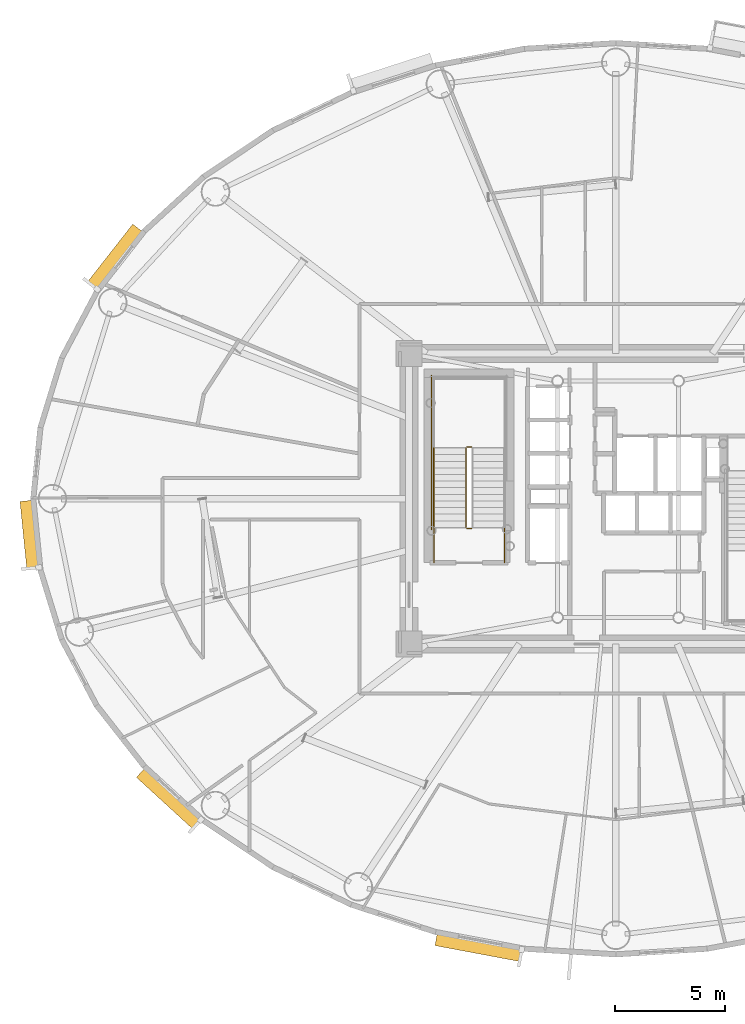
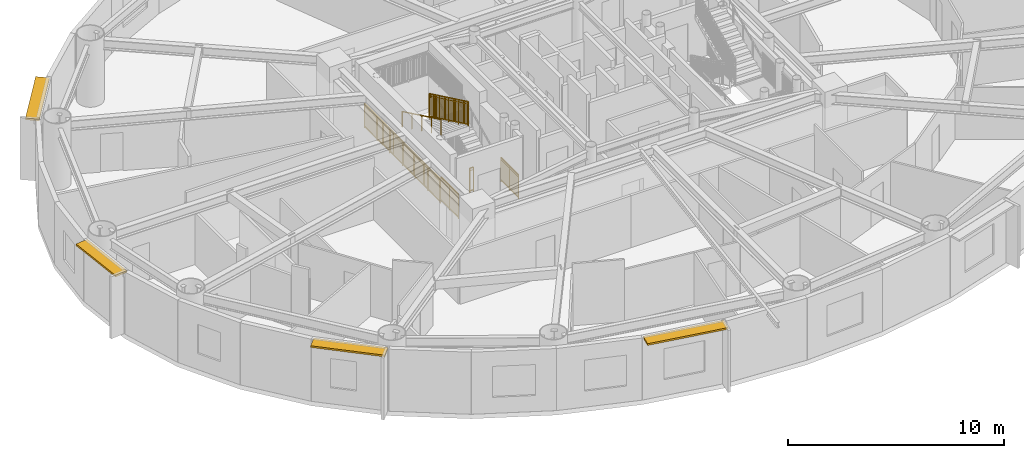
# One storey, part 15 of 21: 7 railings, 4 shading devices.
"""IFC4 building model written with IfcOpenShell, lengths in metres."""

from ifc_helpers import new_model, si_unit, direction, frame, origin, origin_2d, place, context, subcontext, project, spatial, rectangle, extrude, source, transform, mapped, material, layer, layer_set, type_object, element, save


model = new_model("IFC4")

# Units and contexts
model_context = context("Model", 3, precision=1e-05, world=origin(), true_north=direction((0.0, 1.0)))
body_context = subcontext(model_context, "Body", "Model", "MODEL_VIEW")
ifc_project = project(units=[si_unit("LENGTHUNIT", "METRE"), si_unit("AREAUNIT", "SQUARE_METRE"), si_unit("VOLUMEUNIT", "CUBIC_METRE"), si_unit("PLANEANGLEUNIT", "RADIAN"), si_unit("MASSUNIT", "GRAM", prefix="KILO")], contexts=[model_context])

# Site, building, storey
site_placement = place(None, origin())
site = spatial("IfcSite", under=ifc_project, at=site_placement, CompositionType="ELEMENT")
building_placement = place(site_placement, origin())
building = spatial("IfcBuilding", under=site, at=building_placement, Name="Linh Dai School and Residence Tower", CompositionType="ELEMENT")
storey_placement = place(building_placement, frame((0.0, 0.0, 189.89990234375)))
storey = spatial("IfcBuildingStorey", under=building, at=storey_placement, Name="L46", CompositionType="ELEMENT", Elevation=189.89990234375)

# Shading devices
ifc_material_1 = material(Name="Terracotta Ceramic Sunshade", Category="masonry")
ifc_layer = layer(ifc_material_1, 0.10009765625)
ifc_layer_set = layer_set([ifc_layer], Name="Terracotta Ceramic Sunshade")
shading_device_type = type_object("IfcShadingDeviceType", Name="SHD-TC-650", PredefinedType="USERDEFINED", material=ifc_layer_set)
shared_shape_1 = source(origin(), body_context, "Body", "SweptSolid", [
    extrude(rectangle(XDim=3.1201171875, YDim=0.64990234375, at=origin_2d()), origin(), (0.0, 0.0, 1.0), 0.10009765625),
])
shading_device_1_placement = place(storey_placement, frame((9.40380859375, 25.354736328125, 3.380126953125), z_axis=(0.0, 0.0, 1.0), x_axis=(-0.100001796141, 0.994987256586, 0.0)))
element("IfcShadingDevice", 1, at=shading_device_1_placement, inside=storey, type_object=shading_device_type, Name="L46 Terracotta Horizontal Sunshade Band 21", ObjectType="SUNSHADE", PredefinedType="USERDEFINED", context=body_context, shape_type="MappedRepresentation", body=[
    mapped(shared_shape_1, transform((0.0, 0.0, 0.0), x_axis=(1.0, 0.0, 0.0), y_axis=(0.0, 1.0, 0.0), z_axis=(0.0, 0.0, 1.0), scale=1.0)),
])
shared_shape_2 = source(origin(), body_context, "Body", "SweptSolid", [
    extrude(rectangle(XDim=3.51171875, YDim=0.64990234375, at=origin_2d()), origin(), (0.0, 0.0, 1.0), 0.10009765625),
])
shading_device_2_placement = place(storey_placement, frame((15.727294921875, 13.395263671875, 3.380126953125), z_axis=(0.0, 0.0, 1.0), x_axis=(-0.737085029426, 0.67580001435, 0.0)))
element("IfcShadingDevice", 2, at=shading_device_2_placement, inside=storey, type_object=shading_device_type, Name="L46 Terracotta Horizontal Sunshade Band 25", ObjectType="SUNSHADE", PredefinedType="USERDEFINED", context=body_context, shape_type="MappedRepresentation", body=[
    mapped(shared_shape_2, transform((0.0, 0.0, 0.0), x_axis=(1.0, 0.0, 0.0), y_axis=(0.0, 1.0, 0.0), z_axis=(0.0, 0.0, 1.0), scale=1.0)),
])
shared_shape_3 = source(origin(), body_context, "Body", "SweptSolid", [
    extrude(rectangle(XDim=3.949462890625, YDim=0.64990234375, at=origin_2d()), origin(), (0.0, 0.0, 1.0), 0.10009765625),
])
shading_device_3_placement = place(storey_placement, frame((29.780029296875, 6.650390625, 3.380126953125), z_axis=(0.0, 0.0, 1.0), x_axis=(-0.982783192645, 0.184762540184, 0.0)))
element("IfcShadingDevice", 3, at=shading_device_3_placement, inside=storey, type_object=shading_device_type, Name="L46 Terracotta Horizontal Sunshade Band 29", ObjectType="SUNSHADE", PredefinedType="USERDEFINED", context=body_context, shape_type="MappedRepresentation", body=[
    mapped(shared_shape_3, transform((0.0, 0.0, 0.0), x_axis=(1.0, 0.0, 0.0), y_axis=(0.0, 1.0, 0.0), z_axis=(0.0, 0.0, 1.0), scale=1.0)),
])
shared_shape_4 = source(origin(), body_context, "Body", "SweptSolid", [
    extrude(rectangle(XDim=3.376708984375, YDim=0.64990234375, at=origin_2d()), origin(), (0.0, 0.0, 1.0), 0.10009765625),
])
shading_device_4_placement = place(storey_placement, frame((13.263427734375, 37.94921875, 3.380126953125), z_axis=(0.0, 0.0, 1.0), x_axis=(0.616286337798, 0.787522158319, 0.0)))
element("IfcShadingDevice", 4, at=shading_device_4_placement, inside=storey, type_object=shading_device_type, Name="L46 Terracotta Horizontal Sunshade Band 17", ObjectType="SUNSHADE", PredefinedType="USERDEFINED", context=body_context, shape_type="MappedRepresentation", body=[
    mapped(shared_shape_4, transform((0.0, 0.0, 0.0), x_axis=(1.0, 0.0, 0.0), y_axis=(0.0, 1.0, 0.0), z_axis=(0.0, 0.0, 1.0), scale=1.0)),
])

# Railings
ifc_material_2 = material(Name="Structural Steel S355JR", Category="steel")
railing_type_1 = type_object("IfcRailingType", Name="RL-ST-GUARD-1400", PredefinedType="GUARDRAIL", material=ifc_material_2)
shared_shape_5 = source(origin(), body_context, "Body", "SweptSolid", [
    extrude(rectangle(XDim=0.048095703125, YDim=0.048095703125, at=origin_2d()), frame((0.0, 0.0, 1.3759765625), z_axis=(-1.0, 0.0, 0.0), x_axis=(0.0, -1.0, 0.0)), (0.0, 0.0, 1.0), 0.199951171875),
    extrude(rectangle(XDim=0.048095703125, YDim=0.048095703125, at=origin_2d()), frame((0.0, 0.0, 0.10009765625), z_axis=(-1.0, 0.0, 0.0), x_axis=(0.0, -1.0, 0.0)), (0.0, 0.0, 1.0), 0.199951171875),
    extrude(rectangle(XDim=0.030029296875, YDim=0.030029296875, at=origin_2d()), frame((0.0, 0.0, 1.239990234375), z_axis=(-1.0, 0.0, 0.0), x_axis=(0.0, -1.0, 0.0)), (0.0, 0.0, 1.0), 0.199951171875),
    extrude(rectangle(XDim=0.0419921875, YDim=0.0419921875, at=origin_2d()), origin(), (0.0, 0.0, 1.0), 1.3759765625),
    extrude(rectangle(XDim=0.0419921875, YDim=0.0419921875, at=origin_2d()), frame((-0.199951171875, 0.0, 0.0)), (0.0, 0.0, 1.0), 1.3759765625),
])
for number, where, name in (
    (5, (29.429931640625, 29.35009765625, 1.875), "L46 ST1 stair guard 2"),
    (6, (29.429931640625, 25.64990234375, 0.0), "L46 ST1 stair guard 7"),
):
    element("IfcRailing", number, at=place(storey_placement, frame(where)), inside=storey, type_object=railing_type_1, Name=name, PredefinedType="GUARDRAIL", context=body_context, shape_type="MappedRepresentation", body=[
        mapped(shared_shape_5, transform((0.0, 0.0, 0.0), x_axis=(1.0, 0.0, 0.0), y_axis=(0.0, 1.0, 0.0), z_axis=(0.0, 0.0, 1.0), scale=1.0)),
    ])
shared_shape_6 = source(origin(), body_context, "Body", "SweptSolid", [
    extrude(rectangle(XDim=0.048095703125, YDim=0.048095703125, at=origin_2d()), frame((0.0, 0.0, 1.3759765625), z_axis=(0.0, 1.0, 0.0), x_axis=(-1.0, 0.0, 0.0)), (0.0, 0.0, 1.0), 1.599853515625),
    extrude(rectangle(XDim=0.048095703125, YDim=0.048095703125, at=origin_2d()), frame((0.0, 0.0, 0.10009765625), z_axis=(0.0, 1.0, 0.0), x_axis=(-1.0, 0.0, 0.0)), (0.0, 0.0, 1.0), 1.599853515625),
    extrude(rectangle(XDim=0.030029296875, YDim=0.030029296875, at=origin_2d()), frame((0.0, 0.0, 1.239990234375), z_axis=(0.0, 1.0, 0.0), x_axis=(-1.0, 0.0, 0.0)), (0.0, 0.0, 1.0), 1.599853515625),
    extrude(rectangle(XDim=0.02001953125, YDim=0.02001953125, at=origin_2d()), frame((0.0, 0.093994140625, 0.10009765625)), (0.0, 0.0, 1.0), 1.251708984375),
    extrude(rectangle(XDim=0.02001953125, YDim=0.02001953125, at=origin_2d()), frame((0.0, 0.188232421875, 0.10009765625)), (0.0, 0.0, 1.0), 1.251708984375),
    extrude(rectangle(XDim=0.02001953125, YDim=0.02001953125, at=origin_2d()), frame((0.0, 0.2822265625, 0.10009765625)), (0.0, 0.0, 1.0), 1.251708984375),
    extrude(rectangle(XDim=0.02001953125, YDim=0.02001953125, at=origin_2d()), frame((0.0, 0.37646484375, 0.10009765625)), (0.0, 0.0, 1.0), 1.251708984375),
    extrude(rectangle(XDim=0.02001953125, YDim=0.02001953125, at=origin_2d()), frame((0.0, 0.470458984375, 0.10009765625)), (0.0, 0.0, 1.0), 1.251708984375),
    extrude(rectangle(XDim=0.02001953125, YDim=0.02001953125, at=origin_2d()), frame((0.0, 0.564697265625, 0.10009765625)), (0.0, 0.0, 1.0), 1.251708984375),
    extrude(rectangle(XDim=0.02001953125, YDim=0.02001953125, at=origin_2d()), frame((0.0, 0.65869140625, 0.10009765625)), (0.0, 0.0, 1.0), 1.251708984375),
    extrude(rectangle(XDim=0.02001953125, YDim=0.02001953125, at=origin_2d()), frame((0.0, 0.7529296875, 0.10009765625)), (0.0, 0.0, 1.0), 1.251708984375),
    extrude(rectangle(XDim=0.02001953125, YDim=0.02001953125, at=origin_2d()), frame((0.0, 0.846923828125, 0.10009765625)), (0.0, 0.0, 1.0), 1.251708984375),
    extrude(rectangle(XDim=0.02001953125, YDim=0.02001953125, at=origin_2d()), frame((0.0, 0.941162109375, 0.10009765625)), (0.0, 0.0, 1.0), 1.251708984375),
    extrude(rectangle(XDim=0.02001953125, YDim=0.02001953125, at=origin_2d()), frame((0.0, 1.03515625, 0.10009765625)), (0.0, 0.0, 1.0), 1.251708984375),
    extrude(rectangle(XDim=0.02001953125, YDim=0.02001953125, at=origin_2d()), frame((0.0, 1.12939453125, 0.10009765625)), (0.0, 0.0, 1.0), 1.251708984375),
    extrude(rectangle(XDim=0.02001953125, YDim=0.02001953125, at=origin_2d()), frame((0.0, 1.223388671875, 0.10009765625)), (0.0, 0.0, 1.0), 1.251708984375),
    extrude(rectangle(XDim=0.02001953125, YDim=0.02001953125, at=origin_2d()), frame((0.0, 1.317626953125, 0.10009765625)), (0.0, 0.0, 1.0), 1.251708984375),
    extrude(rectangle(XDim=0.02001953125, YDim=0.02001953125, at=origin_2d()), frame((0.0, 1.41162109375, 0.10009765625)), (0.0, 0.0, 1.0), 1.251708984375),
    extrude(rectangle(XDim=0.02001953125, YDim=0.02001953125, at=origin_2d()), frame((0.0, 1.505859375, 0.10009765625)), (0.0, 0.0, 1.0), 1.251708984375),
    extrude(rectangle(XDim=0.0419921875, YDim=0.0419921875, at=origin_2d()), origin(), (0.0, 0.0, 1.0), 1.3759765625),
    extrude(rectangle(XDim=0.0419921875, YDim=0.0419921875, at=origin_2d()), frame((0.0, 0.7998046875, 0.0)), (0.0, 0.0, 1.0), 1.3759765625),
    extrude(rectangle(XDim=0.0419921875, YDim=0.0419921875, at=origin_2d()), frame((0.0, 1.599853515625, 0.0)), (0.0, 0.0, 1.0), 1.3759765625),
])
for number, where, name in (
    (7, (30.929931640625, 24.10009765625, 0.0), "L46 ST1 stair guard 8"),
    (8, (27.72998046875, 24.10009765625, 0.0), "L46 ST1 stair guard 9"),
):
    element("IfcRailing", number, at=place(storey_placement, frame(where)), inside=storey, type_object=railing_type_1, Name=name, PredefinedType="GUARDRAIL", context=body_context, shape_type="MappedRepresentation", body=[
        mapped(shared_shape_6, transform((0.0, 0.0, 0.0), x_axis=(1.0, 0.0, 0.0), y_axis=(0.0, 1.0, 0.0), z_axis=(0.0, 0.0, 1.0), scale=1.0)),
    ])
shared_shape_7 = source(origin(), body_context, "Body", "SweptSolid", [
    extrude(rectangle(XDim=0.048095703125, YDim=0.048095703125, at=origin_2d()), frame((0.0, 0.0, 1.3759765625), z_axis=(0.0, 1.0, 0.0), x_axis=(-1.0, 0.0, 0.0)), (0.0, 0.0, 1.0), 7.0),
    extrude(rectangle(XDim=0.048095703125, YDim=0.048095703125, at=origin_2d()), frame((0.0, 0.0, 0.10009765625), z_axis=(0.0, 1.0, 0.0), x_axis=(-1.0, 0.0, 0.0)), (0.0, 0.0, 1.0), 7.0),
    extrude(rectangle(XDim=0.030029296875, YDim=0.030029296875, at=origin_2d()), frame((0.0, 0.0, 1.239990234375), z_axis=(0.0, 1.0, 0.0), x_axis=(-1.0, 0.0, 0.0)), (0.0, 0.0, 1.0), 7.0),
    extrude(rectangle(XDim=0.02001953125, YDim=0.02001953125, at=origin_2d()), frame((0.0, 0.09716796875, 0.10009765625)), (0.0, 0.0, 1.0), 1.251708984375),
    extrude(rectangle(XDim=0.02001953125, YDim=0.02001953125, at=origin_2d()), frame((0.0, 0.1943359375, 0.10009765625)), (0.0, 0.0, 1.0), 1.251708984375),
    extrude(rectangle(XDim=0.02001953125, YDim=0.02001953125, at=origin_2d()), frame((0.0, 0.291748046875, 0.10009765625)), (0.0, 0.0, 1.0), 1.251708984375),
    extrude(rectangle(XDim=0.02001953125, YDim=0.02001953125, at=origin_2d()), frame((0.0, 0.388916015625, 0.10009765625)), (0.0, 0.0, 1.0), 1.251708984375),
    extrude(rectangle(XDim=0.02001953125, YDim=0.02001953125, at=origin_2d()), frame((0.0, 0.486083984375, 0.10009765625)), (0.0, 0.0, 1.0), 1.251708984375),
    extrude(rectangle(XDim=0.02001953125, YDim=0.02001953125, at=origin_2d()), frame((0.0, 0.583251953125, 0.10009765625)), (0.0, 0.0, 1.0), 1.251708984375),
    extrude(rectangle(XDim=0.02001953125, YDim=0.02001953125, at=origin_2d()), frame((0.0, 0.6806640625, 0.10009765625)), (0.0, 0.0, 1.0), 1.251708984375),
    extrude(rectangle(XDim=0.02001953125, YDim=0.02001953125, at=origin_2d()), frame((0.0, 0.77783203125, 0.10009765625)), (0.0, 0.0, 1.0), 1.251708984375),
    extrude(rectangle(XDim=0.02001953125, YDim=0.02001953125, at=origin_2d()), frame((0.0, 0.875, 0.10009765625)), (0.0, 0.0, 1.0), 1.251708984375),
    extrude(rectangle(XDim=0.02001953125, YDim=0.02001953125, at=origin_2d()), frame((0.0, 0.97216796875, 0.10009765625)), (0.0, 0.0, 1.0), 1.251708984375),
    extrude(rectangle(XDim=0.02001953125, YDim=0.02001953125, at=origin_2d()), frame((0.0, 1.0693359375, 0.10009765625)), (0.0, 0.0, 1.0), 1.251708984375),
    extrude(rectangle(XDim=0.02001953125, YDim=0.02001953125, at=origin_2d()), frame((0.0, 1.263916015625, 0.10009765625)), (0.0, 0.0, 1.0), 1.251708984375),
    extrude(rectangle(XDim=0.02001953125, YDim=0.02001953125, at=origin_2d()), frame((0.0, 1.361083984375, 0.10009765625)), (0.0, 0.0, 1.0), 1.251708984375),
    extrude(rectangle(XDim=0.02001953125, YDim=0.02001953125, at=origin_2d()), frame((0.0, 1.458251953125, 0.10009765625)), (0.0, 0.0, 1.0), 1.251708984375),
    extrude(rectangle(XDim=0.02001953125, YDim=0.02001953125, at=origin_2d()), frame((0.0, 1.5556640625, 0.10009765625)), (0.0, 0.0, 1.0), 1.251708984375),
    extrude(rectangle(XDim=0.02001953125, YDim=0.02001953125, at=origin_2d()), frame((0.0, 1.65283203125, 0.10009765625)), (0.0, 0.0, 1.0), 1.251708984375),
    extrude(rectangle(XDim=0.02001953125, YDim=0.02001953125, at=origin_2d()), frame((0.0, 1.75, 0.10009765625)), (0.0, 0.0, 1.0), 1.251708984375),
    extrude(rectangle(XDim=0.02001953125, YDim=0.02001953125, at=origin_2d()), frame((0.0, 1.84716796875, 0.10009765625)), (0.0, 0.0, 1.0), 1.251708984375),
    extrude(rectangle(XDim=0.02001953125, YDim=0.02001953125, at=origin_2d()), frame((0.0, 1.9443359375, 0.10009765625)), (0.0, 0.0, 1.0), 1.251708984375),
    extrude(rectangle(XDim=0.02001953125, YDim=0.02001953125, at=origin_2d()), frame((0.0, 2.041748046875, 0.10009765625)), (0.0, 0.0, 1.0), 1.251708984375),
    extrude(rectangle(XDim=0.02001953125, YDim=0.02001953125, at=origin_2d()), frame((0.0, 2.138916015625, 0.10009765625)), (0.0, 0.0, 1.0), 1.251708984375),
    extrude(rectangle(XDim=0.02001953125, YDim=0.02001953125, at=origin_2d()), frame((0.0, 2.236083984375, 0.10009765625)), (0.0, 0.0, 1.0), 1.251708984375),
    extrude(rectangle(XDim=0.02001953125, YDim=0.02001953125, at=origin_2d()), frame((0.0, 2.4306640625, 0.10009765625)), (0.0, 0.0, 1.0), 1.251708984375),
    extrude(rectangle(XDim=0.02001953125, YDim=0.02001953125, at=origin_2d()), frame((0.0, 2.52783203125, 0.10009765625)), (0.0, 0.0, 1.0), 1.251708984375),
    extrude(rectangle(XDim=0.02001953125, YDim=0.02001953125, at=origin_2d()), frame((0.0, 2.625, 0.10009765625)), (0.0, 0.0, 1.0), 1.251708984375),
    extrude(rectangle(XDim=0.02001953125, YDim=0.02001953125, at=origin_2d()), frame((0.0, 2.72216796875, 0.10009765625)), (0.0, 0.0, 1.0), 1.251708984375),
    extrude(rectangle(XDim=0.02001953125, YDim=0.02001953125, at=origin_2d()), frame((0.0, 2.8193359375, 0.10009765625)), (0.0, 0.0, 1.0), 1.251708984375),
    extrude(rectangle(XDim=0.02001953125, YDim=0.02001953125, at=origin_2d()), frame((0.0, 2.916748046875, 0.10009765625)), (0.0, 0.0, 1.0), 1.251708984375),
    extrude(rectangle(XDim=0.02001953125, YDim=0.02001953125, at=origin_2d()), frame((0.0, 3.013916015625, 0.10009765625)), (0.0, 0.0, 1.0), 1.251708984375),
    extrude(rectangle(XDim=0.02001953125, YDim=0.02001953125, at=origin_2d()), frame((0.0, 3.111083984375, 0.10009765625)), (0.0, 0.0, 1.0), 1.251708984375),
    extrude(rectangle(XDim=0.02001953125, YDim=0.02001953125, at=origin_2d()), frame((0.0, 3.208251953125, 0.10009765625)), (0.0, 0.0, 1.0), 1.251708984375),
    extrude(rectangle(XDim=0.02001953125, YDim=0.02001953125, at=origin_2d()), frame((0.0, 3.3056640625, 0.10009765625)), (0.0, 0.0, 1.0), 1.251708984375),
    extrude(rectangle(XDim=0.02001953125, YDim=0.02001953125, at=origin_2d()), frame((0.0, 3.40283203125, 0.10009765625)), (0.0, 0.0, 1.0), 1.251708984375),
    extrude(rectangle(XDim=0.02001953125, YDim=0.02001953125, at=origin_2d()), frame((0.0, 3.59716796875, 0.10009765625)), (0.0, 0.0, 1.0), 1.251708984375),
    extrude(rectangle(XDim=0.02001953125, YDim=0.02001953125, at=origin_2d()), frame((0.0, 3.6943359375, 0.10009765625)), (0.0, 0.0, 1.0), 1.251708984375),
    extrude(rectangle(XDim=0.02001953125, YDim=0.02001953125, at=origin_2d()), frame((0.0, 3.791748046875, 0.10009765625)), (0.0, 0.0, 1.0), 1.251708984375),
    extrude(rectangle(XDim=0.02001953125, YDim=0.02001953125, at=origin_2d()), frame((0.0, 3.888916015625, 0.10009765625)), (0.0, 0.0, 1.0), 1.251708984375),
    extrude(rectangle(XDim=0.02001953125, YDim=0.02001953125, at=origin_2d()), frame((0.0, 3.986083984375, 0.10009765625)), (0.0, 0.0, 1.0), 1.251708984375),
    extrude(rectangle(XDim=0.02001953125, YDim=0.02001953125, at=origin_2d()), frame((0.0, 4.083251953125, 0.10009765625)), (0.0, 0.0, 1.0), 1.251708984375),
    extrude(rectangle(XDim=0.02001953125, YDim=0.02001953125, at=origin_2d()), frame((0.0, 4.1806640625, 0.10009765625)), (0.0, 0.0, 1.0), 1.251708984375),
    extrude(rectangle(XDim=0.02001953125, YDim=0.02001953125, at=origin_2d()), frame((0.0, 4.27783203125, 0.10009765625)), (0.0, 0.0, 1.0), 1.251708984375),
    extrude(rectangle(XDim=0.02001953125, YDim=0.02001953125, at=origin_2d()), frame((0.0, 4.375, 0.10009765625)), (0.0, 0.0, 1.0), 1.251708984375),
    extrude(rectangle(XDim=0.02001953125, YDim=0.02001953125, at=origin_2d()), frame((0.0, 4.47216796875, 0.10009765625)), (0.0, 0.0, 1.0), 1.251708984375),
    extrude(rectangle(XDim=0.02001953125, YDim=0.02001953125, at=origin_2d()), frame((0.0, 4.5693359375, 0.10009765625)), (0.0, 0.0, 1.0), 1.251708984375),
    extrude(rectangle(XDim=0.02001953125, YDim=0.02001953125, at=origin_2d()), frame((0.0, 4.763916015625, 0.10009765625)), (0.0, 0.0, 1.0), 1.251708984375),
    extrude(rectangle(XDim=0.02001953125, YDim=0.02001953125, at=origin_2d()), frame((0.0, 4.861083984375, 0.10009765625)), (0.0, 0.0, 1.0), 1.251708984375),
    extrude(rectangle(XDim=0.02001953125, YDim=0.02001953125, at=origin_2d()), frame((0.0, 4.958251953125, 0.10009765625)), (0.0, 0.0, 1.0), 1.251708984375),
    extrude(rectangle(XDim=0.02001953125, YDim=0.02001953125, at=origin_2d()), frame((0.0, 5.0556640625, 0.10009765625)), (0.0, 0.0, 1.0), 1.251708984375),
    extrude(rectangle(XDim=0.02001953125, YDim=0.02001953125, at=origin_2d()), frame((0.0, 5.15283203125, 0.10009765625)), (0.0, 0.0, 1.0), 1.251708984375),
    extrude(rectangle(XDim=0.02001953125, YDim=0.02001953125, at=origin_2d()), frame((0.0, 5.25, 0.10009765625)), (0.0, 0.0, 1.0), 1.251708984375),
    extrude(rectangle(XDim=0.02001953125, YDim=0.02001953125, at=origin_2d()), frame((0.0, 5.34716796875, 0.10009765625)), (0.0, 0.0, 1.0), 1.251708984375),
    extrude(rectangle(XDim=0.02001953125, YDim=0.02001953125, at=origin_2d()), frame((0.0, 5.4443359375, 0.10009765625)), (0.0, 0.0, 1.0), 1.251708984375),
    extrude(rectangle(XDim=0.02001953125, YDim=0.02001953125, at=origin_2d()), frame((0.0, 5.541748046875, 0.10009765625)), (0.0, 0.0, 1.0), 1.251708984375),
    extrude(rectangle(XDim=0.02001953125, YDim=0.02001953125, at=origin_2d()), frame((0.0, 5.638916015625, 0.10009765625)), (0.0, 0.0, 1.0), 1.251708984375),
    extrude(rectangle(XDim=0.02001953125, YDim=0.02001953125, at=origin_2d()), frame((0.0, 5.736083984375, 0.10009765625)), (0.0, 0.0, 1.0), 1.251708984375),
    extrude(rectangle(XDim=0.02001953125, YDim=0.02001953125, at=origin_2d()), frame((0.0, 5.9306640625, 0.10009765625)), (0.0, 0.0, 1.0), 1.251708984375),
    extrude(rectangle(XDim=0.02001953125, YDim=0.02001953125, at=origin_2d()), frame((0.0, 6.02783203125, 0.10009765625)), (0.0, 0.0, 1.0), 1.251708984375),
    extrude(rectangle(XDim=0.02001953125, YDim=0.02001953125, at=origin_2d()), frame((0.0, 6.125, 0.10009765625)), (0.0, 0.0, 1.0), 1.251708984375),
    extrude(rectangle(XDim=0.02001953125, YDim=0.02001953125, at=origin_2d()), frame((0.0, 6.22216796875, 0.10009765625)), (0.0, 0.0, 1.0), 1.251708984375),
    extrude(rectangle(XDim=0.02001953125, YDim=0.02001953125, at=origin_2d()), frame((0.0, 6.3193359375, 0.10009765625)), (0.0, 0.0, 1.0), 1.251708984375),
    extrude(rectangle(XDim=0.02001953125, YDim=0.02001953125, at=origin_2d()), frame((0.0, 6.416748046875, 0.10009765625)), (0.0, 0.0, 1.0), 1.251708984375),
    extrude(rectangle(XDim=0.02001953125, YDim=0.02001953125, at=origin_2d()), frame((0.0, 6.513916015625, 0.10009765625)), (0.0, 0.0, 1.0), 1.251708984375),
    extrude(rectangle(XDim=0.02001953125, YDim=0.02001953125, at=origin_2d()), frame((0.0, 6.611083984375, 0.10009765625)), (0.0, 0.0, 1.0), 1.251708984375),
    extrude(rectangle(XDim=0.02001953125, YDim=0.02001953125, at=origin_2d()), frame((0.0, 6.708251953125, 0.10009765625)), (0.0, 0.0, 1.0), 1.251708984375),
    extrude(rectangle(XDim=0.02001953125, YDim=0.02001953125, at=origin_2d()), frame((0.0, 6.8056640625, 0.10009765625)), (0.0, 0.0, 1.0), 1.251708984375),
    extrude(rectangle(XDim=0.02001953125, YDim=0.02001953125, at=origin_2d()), frame((0.0, 6.90283203125, 0.10009765625)), (0.0, 0.0, 1.0), 1.251708984375),
    extrude(rectangle(XDim=0.0419921875, YDim=0.0419921875, at=origin_2d()), origin(), (0.0, 0.0, 1.0), 1.3759765625),
    extrude(rectangle(XDim=0.0419921875, YDim=0.0419921875, at=origin_2d()), frame((0.0, 1.166748046875, 0.0)), (0.0, 0.0, 1.0), 1.3759765625),
    extrude(rectangle(XDim=0.0419921875, YDim=0.0419921875, at=origin_2d()), frame((0.0, 2.333251953125, 0.0)), (0.0, 0.0, 1.0), 1.3759765625),
    extrude(rectangle(XDim=0.0419921875, YDim=0.0419921875, at=origin_2d()), frame((0.0, 3.5, 0.0)), (0.0, 0.0, 1.0), 1.3759765625),
    extrude(rectangle(XDim=0.0419921875, YDim=0.0419921875, at=origin_2d()), frame((0.0, 4.666748046875, 0.0)), (0.0, 0.0, 1.0), 1.3759765625),
    extrude(rectangle(XDim=0.0419921875, YDim=0.0419921875, at=origin_2d()), frame((0.0, 5.833251953125, 0.0)), (0.0, 0.0, 1.0), 1.3759765625),
    extrude(rectangle(XDim=0.0419921875, YDim=0.0419921875, at=origin_2d()), frame((0.0, 7.0, 0.0)), (0.0, 0.0, 1.0), 1.3759765625),
])
railing_1_placement = place(storey_placement, frame((27.6298828125, 25.60009765625, 0.0)))
element("IfcRailing", 9, at=railing_1_placement, inside=storey, type_object=railing_type_1, Name="L46 ST1 stair guard 11", PredefinedType="GUARDRAIL", context=body_context, shape_type="MappedRepresentation", body=[
    mapped(shared_shape_7, transform((0.0, 0.0, 0.0), x_axis=(1.0, 0.0, 0.0), y_axis=(0.0, 1.0, 0.0), z_axis=(0.0, 0.0, 1.0), scale=1.0)),
])
shared_shape_8 = source(origin(), body_context, "Body", "SweptSolid", [
    extrude(rectangle(XDim=0.048095703125, YDim=0.048095703125, at=origin_2d()), frame((0.0, 0.0, 1.3759765625), z_axis=(0.0, -0.901262522062, 0.433273431364), x_axis=(1.0, 0.0, 0.0)), (0.0, 0.0, 1.0), 3.994384765625),
    extrude(rectangle(XDim=0.048095703125, YDim=0.048095703125, at=origin_2d()), frame((0.0, 0.0, 0.10009765625), z_axis=(0.0, -0.901262522062, 0.433273431364), x_axis=(1.0, 0.0, 0.0)), (0.0, 0.0, 1.0), 3.994384765625),
    extrude(rectangle(XDim=0.030029296875, YDim=0.030029296875, at=origin_2d()), frame((0.0, 0.0, 1.239990234375), z_axis=(0.0, -0.901262522062, 0.433273431364), x_axis=(1.0, 0.0, 0.0)), (0.0, 0.0, 1.0), 3.994384765625),
    extrude(rectangle(XDim=0.02001953125, YDim=0.02001953125, at=origin_2d()), frame((0.0, -0.087890625, 0.142333984375)), (0.0, 0.0, 1.0), 1.251708984375),
    extrude(rectangle(XDim=0.02001953125, YDim=0.02001953125, at=origin_2d()), frame((0.0, -0.175537109375, 0.1845703125)), (0.0, 0.0, 1.0), 1.251708984375),
    extrude(rectangle(XDim=0.02001953125, YDim=0.02001953125, at=origin_2d()), frame((0.0, -0.263427734375, 0.226806640625)), (0.0, 0.0, 1.0), 1.251708984375),
    extrude(rectangle(XDim=0.02001953125, YDim=0.02001953125, at=origin_2d()), frame((0.0, -0.351318359375, 0.26904296875)), (0.0, 0.0, 1.0), 1.251708984375),
    extrude(rectangle(XDim=0.02001953125, YDim=0.02001953125, at=origin_2d()), frame((0.0, -0.43896484375, 0.311279296875)), (0.0, 0.0, 1.0), 1.251708984375),
    extrude(rectangle(XDim=0.02001953125, YDim=0.02001953125, at=origin_2d()), frame((0.0, -0.52685546875, 0.353271484375)), (0.0, 0.0, 1.0), 1.251708984375),
    extrude(rectangle(XDim=0.02001953125, YDim=0.02001953125, at=origin_2d()), frame((0.0, -0.61474609375, 0.3955078125)), (0.0, 0.0, 1.0), 1.251708984375),
    extrude(rectangle(XDim=0.02001953125, YDim=0.02001953125, at=origin_2d()), frame((0.0, -0.702392578125, 0.437744140625)), (0.0, 0.0, 1.0), 1.251708984375),
    extrude(rectangle(XDim=0.02001953125, YDim=0.02001953125, at=origin_2d()), frame((0.0, -0.790283203125, 0.47998046875)), (0.0, 0.0, 1.0), 1.251708984375),
    extrude(rectangle(XDim=0.02001953125, YDim=0.02001953125, at=origin_2d()), frame((0.0, -0.9658203125, 0.564453125)), (0.0, 0.0, 1.0), 1.251708984375),
    extrude(rectangle(XDim=0.02001953125, YDim=0.02001953125, at=origin_2d()), frame((0.0, -1.0537109375, 0.606689453125)), (0.0, 0.0, 1.0), 1.251708984375),
    extrude(rectangle(XDim=0.02001953125, YDim=0.02001953125, at=origin_2d()), frame((0.0, -1.1416015625, 0.64892578125)), (0.0, 0.0, 1.0), 1.251708984375),
    extrude(rectangle(XDim=0.02001953125, YDim=0.02001953125, at=origin_2d()), frame((0.0, -1.229248046875, 0.691162109375)), (0.0, 0.0, 1.0), 1.251708984375),
    extrude(rectangle(XDim=0.02001953125, YDim=0.02001953125, at=origin_2d()), frame((0.0, -1.317138671875, 0.7333984375)), (0.0, 0.0, 1.0), 1.251708984375),
    extrude(rectangle(XDim=0.02001953125, YDim=0.02001953125, at=origin_2d()), frame((0.0, -1.405029296875, 0.775390625)), (0.0, 0.0, 1.0), 1.251708984375),
    extrude(rectangle(XDim=0.02001953125, YDim=0.02001953125, at=origin_2d()), frame((0.0, -1.49267578125, 0.817626953125)), (0.0, 0.0, 1.0), 1.251708984375),
    extrude(rectangle(XDim=0.02001953125, YDim=0.02001953125, at=origin_2d()), frame((0.0, -1.58056640625, 0.85986328125)), (0.0, 0.0, 1.0), 1.251708984375),
    extrude(rectangle(XDim=0.02001953125, YDim=0.02001953125, at=origin_2d()), frame((0.0, -1.66845703125, 0.902099609375)), (0.0, 0.0, 1.0), 1.251708984375),
    extrude(rectangle(XDim=0.02001953125, YDim=0.02001953125, at=origin_2d()), frame((0.0, -1.756103515625, 0.9443359375)), (0.0, 0.0, 1.0), 1.251708984375),
    extrude(rectangle(XDim=0.02001953125, YDim=0.02001953125, at=origin_2d()), frame((0.0, -1.843994140625, 0.986572265625)), (0.0, 0.0, 1.0), 1.251708984375),
    extrude(rectangle(XDim=0.02001953125, YDim=0.02001953125, at=origin_2d()), frame((0.0, -1.931640625, 1.02880859375)), (0.0, 0.0, 1.0), 1.251708984375),
    extrude(rectangle(XDim=0.02001953125, YDim=0.02001953125, at=origin_2d()), frame((0.0, -2.01953125, 1.071044921875)), (0.0, 0.0, 1.0), 1.251708984375),
    extrude(rectangle(XDim=0.02001953125, YDim=0.02001953125, at=origin_2d()), frame((0.0, -2.107421875, 1.11328125)), (0.0, 0.0, 1.0), 1.251708984375),
    extrude(rectangle(XDim=0.02001953125, YDim=0.02001953125, at=origin_2d()), frame((0.0, -2.195068359375, 1.155517578125)), (0.0, 0.0, 1.0), 1.251708984375),
    extrude(rectangle(XDim=0.02001953125, YDim=0.02001953125, at=origin_2d()), frame((0.0, -2.282958984375, 1.197509765625)), (0.0, 0.0, 1.0), 1.251708984375),
    extrude(rectangle(XDim=0.02001953125, YDim=0.02001953125, at=origin_2d()), frame((0.0, -2.370849609375, 1.23974609375)), (0.0, 0.0, 1.0), 1.251708984375),
    extrude(rectangle(XDim=0.02001953125, YDim=0.02001953125, at=origin_2d()), frame((0.0, -2.45849609375, 1.281982421875)), (0.0, 0.0, 1.0), 1.251708984375),
    extrude(rectangle(XDim=0.02001953125, YDim=0.02001953125, at=origin_2d()), frame((0.0, -2.54638671875, 1.32421875)), (0.0, 0.0, 1.0), 1.251708984375),
    extrude(rectangle(XDim=0.02001953125, YDim=0.02001953125, at=origin_2d()), frame((0.0, -2.63427734375, 1.366455078125)), (0.0, 0.0, 1.0), 1.251708984375),
    extrude(rectangle(XDim=0.02001953125, YDim=0.02001953125, at=origin_2d()), frame((0.0, -2.809814453125, 1.450927734375)), (0.0, 0.0, 1.0), 1.251708984375),
    extrude(rectangle(XDim=0.02001953125, YDim=0.02001953125, at=origin_2d()), frame((0.0, -2.897705078125, 1.4931640625)), (0.0, 0.0, 1.0), 1.251708984375),
    extrude(rectangle(XDim=0.02001953125, YDim=0.02001953125, at=origin_2d()), frame((0.0, -2.9853515625, 1.535400390625)), (0.0, 0.0, 1.0), 1.251708984375),
    extrude(rectangle(XDim=0.02001953125, YDim=0.02001953125, at=origin_2d()), frame((0.0, -3.0732421875, 1.57763671875)), (0.0, 0.0, 1.0), 1.251708984375),
    extrude(rectangle(XDim=0.02001953125, YDim=0.02001953125, at=origin_2d()), frame((0.0, -3.1611328125, 1.61962890625)), (0.0, 0.0, 1.0), 1.251708984375),
    extrude(rectangle(XDim=0.02001953125, YDim=0.02001953125, at=origin_2d()), frame((0.0, -3.248779296875, 1.661865234375)), (0.0, 0.0, 1.0), 1.251708984375),
    extrude(rectangle(XDim=0.02001953125, YDim=0.02001953125, at=origin_2d()), frame((0.0, -3.336669921875, 1.7041015625)), (0.0, 0.0, 1.0), 1.251708984375),
    extrude(rectangle(XDim=0.02001953125, YDim=0.02001953125, at=origin_2d()), frame((0.0, -3.424560546875, 1.746337890625)), (0.0, 0.0, 1.0), 1.251708984375),
    extrude(rectangle(XDim=0.02001953125, YDim=0.02001953125, at=origin_2d()), frame((0.0, -3.51220703125, 1.78857421875)), (0.0, 0.0, 1.0), 1.251708984375),
    extrude(rectangle(XDim=0.0419921875, YDim=0.0419921875, at=origin_2d()), origin(), (0.0, 0.0, 1.0), 1.3759765625),
    extrude(rectangle(XDim=0.0419921875, YDim=0.0419921875, at=origin_2d()), frame((0.0, -0.89990234375, 0.4326171875)), (0.0, 0.0, 1.0), 1.3759765625),
    extrude(rectangle(XDim=0.0419921875, YDim=0.0419921875, at=origin_2d()), frame((0.0, -1.800048828125, 0.865234375)), (0.0, 0.0, 1.0), 1.3759765625),
    extrude(rectangle(XDim=0.0419921875, YDim=0.0419921875, at=origin_2d()), frame((0.0, -2.7001953125, 1.298095703125)), (0.0, 0.0, 1.0), 1.3759765625),
    extrude(rectangle(XDim=0.0419921875, YDim=0.0419921875, at=origin_2d()), frame((0.0, -3.60009765625, 1.730712890625)), (0.0, 0.0, 1.0), 1.3759765625),
])
railing_2_placement = place(storey_placement, frame((29.179931640625, 29.300048828125, 2.019287109375)))
element("IfcRailing", 10, at=railing_2_placement, inside=storey, type_object=railing_type_1, Name="L46 ST1 stair guard 6", PredefinedType="GUARDRAIL", context=body_context, shape_type="MappedRepresentation", body=[
    mapped(shared_shape_8, transform((0.0, 0.0, 0.0), x_axis=(1.0, 0.0, 0.0), y_axis=(0.0, 1.0, 0.0), z_axis=(0.0, 0.0, 1.0), scale=1.0)),
])
ifc_material_3 = material(Name="Brushed Stainless Steel Handrail", Category="steel")
railing_type_2 = type_object("IfcRailingType", Name="RL-ST-HANDRAIL-900", PredefinedType="HANDRAIL", material=ifc_material_3)
shared_shape_9 = source(origin(), body_context, "Body", "SweptSolid", [
    extrude(rectangle(XDim=0.048095703125, YDim=0.048095703125, at=origin_2d()), frame((0.0, 0.0, 0.8759765625), z_axis=(0.0, -0.901262522062, 0.433273431364), x_axis=(1.0, 0.0, 0.0)), (0.0, 0.0, 1.0), 3.994384765625),
    extrude(rectangle(XDim=0.0419921875, YDim=0.0419921875, at=origin_2d()), origin(), (0.0, 0.0, 1.0), 0.8759765625),
    extrude(rectangle(XDim=0.0419921875, YDim=0.0419921875, at=origin_2d()), frame((0.0, -0.89990234375, 0.4326171875)), (0.0, 0.0, 1.0), 0.8759765625),
    extrude(rectangle(XDim=0.0419921875, YDim=0.0419921875, at=origin_2d()), frame((0.0, -1.800048828125, 0.865234375)), (0.0, 0.0, 1.0), 0.8759765625),
    extrude(rectangle(XDim=0.0419921875, YDim=0.0419921875, at=origin_2d()), frame((0.0, -2.7001953125, 1.298095703125)), (0.0, 0.0, 1.0), 0.8759765625),
    extrude(rectangle(XDim=0.0419921875, YDim=0.0419921875, at=origin_2d()), frame((0.0, -3.60009765625, 1.730712890625)), (0.0, 0.0, 1.0), 0.8759765625),
])
railing_3_placement = place(storey_placement, frame((27.72998046875, 29.300048828125, 2.019287109375)))
element("IfcRailing", 11, at=railing_3_placement, inside=storey, type_object=railing_type_2, Name="L46 ST1 stair handrail 2", PredefinedType="HANDRAIL", context=body_context, shape_type="MappedRepresentation", body=[
    mapped(shared_shape_9, transform((0.0, 0.0, 0.0), x_axis=(1.0, 0.0, 0.0), y_axis=(0.0, 1.0, 0.0), z_axis=(0.0, 0.0, 1.0), scale=1.0)),
])

save(model, "model.ifc")
